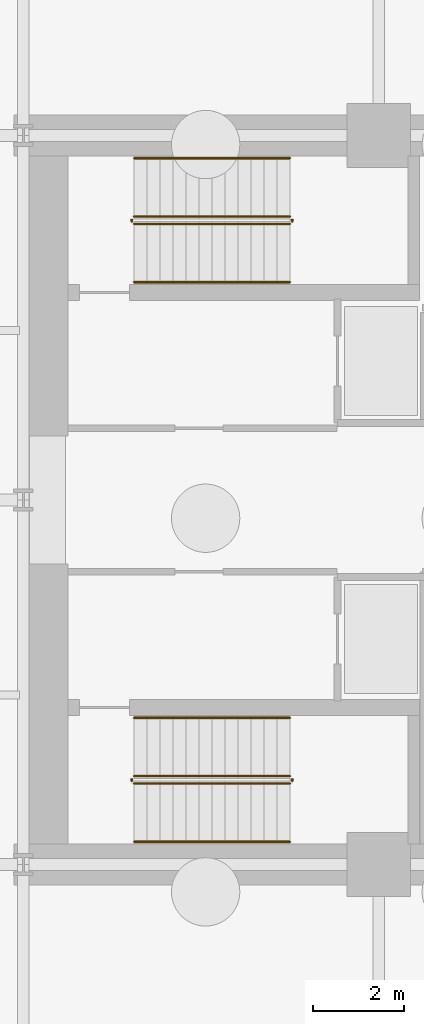
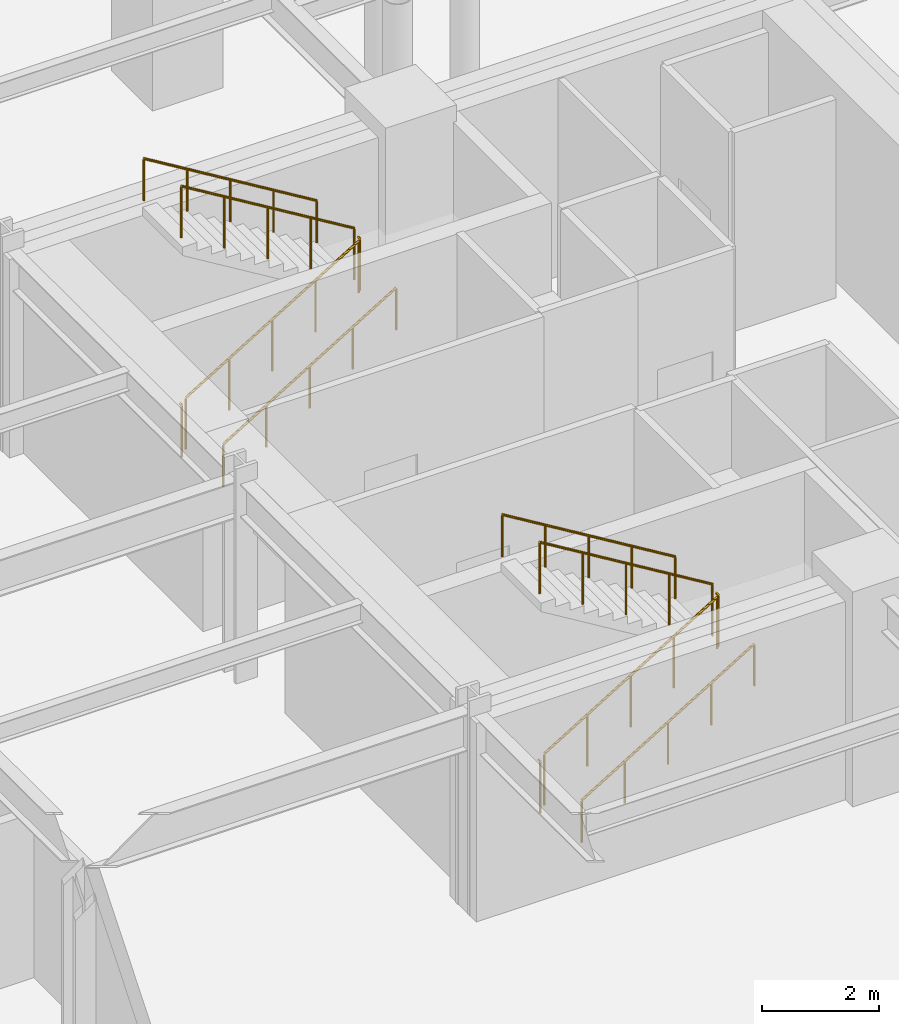
# One storey, part 8 of 10: 12 railings.
"""IFC4 building model written with IfcOpenShell, lengths in metres."""

import ifcopenshell
import ifcopenshell.guid

model = None  # the IFC model being written
_history = None  # IfcOwnerHistory: only IFC2X3 demands one
_inside = {}  # id of a spatial element -> (the spatial element, [elements in it])
_under = {}  # id of a project, library or spatial element -> (it, [spatial elements below it])
_declared = {}  # id of a project -> (the project, [libraries it declares])
_typed = {}  # id of a type object -> (the type object, [elements of that type])
_made_of = {}  # id of a material, layer set ... -> (it, [elements and type objects made of it])


def new_model(schema):
    """Start an empty IFC model of exactly this schema.

    Asked for "IFC4X3", IfcOpenShell would pick the latest addendum, in which some entities
    have other attributes; the version numbers below select the first issue.
    IFC2X3 requires an IfcOwnerHistory on every rooted entity: one is made here for all.
    """
    global model, _history
    if schema == "IFC4X3":
        model = ifcopenshell.file(schema_version=(4, 3, 0, 0))
    else:
        model = ifcopenshell.file(schema=schema)
    _inside.clear()
    _under.clear()
    _declared.clear()
    _typed.clear()
    _made_of.clear()
    _history = None
    if model.schema == "IFC2X3":
        org = make("IfcOrganization", Name="unknown")
        user = make(
            "IfcPersonAndOrganization",
            ThePerson=make("IfcPerson", FamilyName="unknown"),
            TheOrganization=org,
        )
        app = make(
            "IfcApplication",
            ApplicationDeveloper=org,
            Version="unknown",
            ApplicationFullName="unknown",
            ApplicationIdentifier="unknown",
        )
        _history = make(
            "IfcOwnerHistory",
            OwningUser=user,
            OwningApplication=app,
            ChangeAction="ADDED",
            CreationDate=0,
        )
    return model


def make(cls, **values):
    """One entity of the class cls with the attributes given. An attribute that is None is left unset."""
    return model.create_entity(
        cls, **{name: value for name, value in values.items() if value is not None}
    )


def rooted(cls, **values):
    """An entity with a GlobalId (a new one), such as an element, a storey or a relation."""
    return make(cls, GlobalId=ifcopenshell.guid.new(), OwnerHistory=_history, **values)


def si_unit(unit_type, name, prefix=None):
    """IfcSIUnit, for example si_unit("LENGTHUNIT", "METRE", prefix="MILLI")."""
    return make("IfcSIUnit", UnitType=unit_type, Prefix=prefix, Name=name)


def assignment(units):
    """IfcUnitAssignment: the units of a project."""
    return None if units is None else make("IfcUnitAssignment", Units=units)


def point(xyz):
    """IfcCartesianPoint."""
    return None if xyz is None else make("IfcCartesianPoint", Coordinates=xyz)


def direction(xyz):
    """IfcDirection."""
    return None if xyz is None else make("IfcDirection", DirectionRatios=xyz)


def frame(location, z_axis=None, x_axis=None):
    """IfcAxis2Placement3D, a coordinate frame: its origin and axes. An axis left out is left unset."""
    return make(
        "IfcAxis2Placement3D",
        Location=point(location),
        Axis=direction(z_axis),
        RefDirection=direction(x_axis),
    )


def frame_2d(location, x_axis=None):
    """IfcAxis2Placement2D, a coordinate frame in the plane: its origin and x axis."""
    return make(
        "IfcAxis2Placement2D", Location=point(location), RefDirection=direction(x_axis)
    )


def origin():
    """The frame at (0, 0, 0) with its axes left unset."""
    return frame((0.0, 0.0, 0.0))


def origin_2d():
    """The frame at (0, 0) in the plane with its x axis left unset."""
    return frame_2d((0.0, 0.0))


def place(relative_to, where):
    """IfcLocalPlacement: puts the frame where relative to a parent placement (None: the world)."""
    return make(
        "IfcLocalPlacement", PlacementRelTo=relative_to, RelativePlacement=where
    )


def context(
    kind, dimensions, precision=None, world=None, true_north=None, identifier=None
):
    """IfcGeometricRepresentationContext, for example the 3D "Model" context."""
    return make(
        "IfcGeometricRepresentationContext",
        ContextIdentifier=identifier,
        ContextType=kind,
        CoordinateSpaceDimension=dimensions,
        Precision=precision,
        WorldCoordinateSystem=world,
        TrueNorth=true_north,
    )


def subcontext(parent, identifier, kind, view, scale=None):
    """IfcGeometricRepresentationSubContext, for example "Body" below "Model"."""
    return make(
        "IfcGeometricRepresentationSubContext",
        ContextIdentifier=identifier,
        ContextType=kind,
        ParentContext=parent,
        TargetScale=scale,
        TargetView=view,
    )


def project(units=None, contexts=None):
    """IfcProject with its units and contexts."""
    return rooted(
        "IfcProject",
        Name="project",
        RepresentationContexts=contexts,
        UnitsInContext=assignment(units),
    )


def spatial(cls, under=None, at=None, **own):
    """A site, building, storey or space (cls), placed at a placement, below another one or the project."""
    s = rooted(cls, ObjectPlacement=at, **own)
    if under is not None:
        _under.setdefault(under.id(), (under, []))[1].append(s)
    return s


def profile(cls, at=None, kind="AREA", **sizes):
    """A parametric profile (cls). Its sizes go by their IFC names, for example OverallWidth=200.0."""
    return make(cls, ProfileType=kind, Position=at, **sizes)


def circle(**sizes):
    """IfcCircleProfileDef."""
    return profile("IfcCircleProfileDef", **sizes)


def extrude(swept, where, along, depth):
    """IfcExtrudedAreaSolid: the profile swept, set in the frame where, extruded along a direction by depth."""
    return make(
        "IfcExtrudedAreaSolid",
        SweptArea=swept,
        Position=where,
        ExtrudedDirection=direction(along),
        Depth=depth,
    )


def shape(context_of_items, identifier, shape_type, items):
    """IfcShapeRepresentation: the items that make up one representation, for example the "Body"."""
    return make(
        "IfcShapeRepresentation",
        ContextOfItems=context_of_items,
        RepresentationIdentifier=identifier,
        RepresentationType=shape_type,
        Items=items,
    )


def material(Name=None, Category=None):
    """IfcMaterial."""
    return make("IfcMaterial", Name=Name, Category=Category)


def made_of(thing, what):
    """Note that an element or type object is made of a material, layer set ...; save() writes the relation."""
    if what is not None:
        _made_of.setdefault(what.id(), (what, []))[1].append(thing)
    return thing


def type_object(cls, material=None, **own):
    """A type object (cls), such as IfcWallType, which elements share."""
    return made_of(rooted(cls, **own), material)


def element(
    cls,
    number,
    at=None,
    inside=None,
    cuts=None,
    type_object=None,
    material=None,
    context=None,
    identifier="Body",
    shape_type=None,
    held_by="IfcProductDefinitionShape",
    body=None,
    shapes=None,
    **own,
):
    """One element of the class cls, such as IfcWall. Its Tag is "e" and its number.

    at: its placement. inside: the storey or other place that contains it. cuts: it is an
    opening in that element (IfcRelVoidsElement). A single representation is given by context,
    identifier, shape_type and body (its items); several are given by shapes. held_by: the class
    of the entity that holds the representations. save() writes the other relations.
    """
    e = rooted(cls, Tag="e%d" % number, ObjectPlacement=at, **own)
    if body is not None:
        shapes = [shape(context, identifier, shape_type, body)]
    if shapes is not None:
        e.Representation = make(held_by, Representations=shapes)
    if inside is not None:
        _inside.setdefault(inside.id(), (inside, []))[1].append(e)
    if cuts is not None:
        rooted(
            "IfcRelVoidsElement", RelatingBuildingElement=cuts, RelatedOpeningElement=e
        )
    if type_object is not None:
        _typed.setdefault(type_object.id(), (type_object, []))[1].append(e)
    return made_of(e, material)


def aggregate(whole, parts):
    """IfcRelAggregates: a whole, such as a stair, and the parts it consists of."""
    return rooted("IfcRelAggregates", RelatingObject=whole, RelatedObjects=parts)


def save(model, path):
    """Write the relations noted so far, then the file.

    IfcRelAggregates (storeys below a building ...), IfcRelContainedInSpatialStructure (elements
    in a storey), IfcRelDefinesByType, IfcRelAssociatesMaterial and IfcRelDeclares: one each for
    every whole, place, type object, material and project.
    """
    for whole, parts in _under.values():
        aggregate(whole, parts)
    for where, things in _inside.values():
        rooted(
            "IfcRelContainedInSpatialStructure",
            RelatedElements=things,
            RelatingStructure=where,
        )
    for kind, things in _typed.values():
        rooted("IfcRelDefinesByType", RelatedObjects=things, RelatingType=kind)
    for what, things in _made_of.values():
        rooted("IfcRelAssociatesMaterial", RelatedObjects=things, RelatingMaterial=what)
    for by, libraries in _declared.values():
        rooted("IfcRelDeclares", RelatingContext=by, RelatedDefinitions=libraries)
    model.write(path)


model = new_model("IFC4")

# Units and contexts
model_context = context("Model", 3, precision=1e-05, world=origin(), true_north=direction((0.0, 1.0)))
body_context = subcontext(model_context, "Body", "Model", "MODEL_VIEW")
ifc_project = project(units=[si_unit("LENGTHUNIT", "METRE"), si_unit("AREAUNIT", "SQUARE_METRE"), si_unit("VOLUMEUNIT", "CUBIC_METRE"), si_unit("PLANEANGLEUNIT", "RADIAN"), si_unit("MASSUNIT", "GRAM", prefix="KILO")], contexts=[model_context])

# Site, building, storey
site_placement = place(None, origin())
site = spatial("IfcSite", under=ifc_project, at=site_placement, CompositionType="ELEMENT")
building_placement = place(site_placement, origin())
building = spatial("IfcBuilding", under=site, at=building_placement, Name="Veymaron Broadcast Tower", CompositionType="ELEMENT")
storey_placement = place(building_placement, frame((0.0, 0.0, -9.0)))
storey = spatial("IfcBuildingStorey", under=building, at=storey_placement, Name="B2", CompositionType="ELEMENT", Elevation=-9.0)

# Railings
ifc_material_1 = material(Name="Brushed stainless steel AISI 304", Category="steel")
railing_type_1 = type_object("IfcRailingType", Name="RAIL-STAIR-HR", PredefinedType="HANDRAIL", material=ifc_material_1)
railing_1_placement = place(storey_placement, frame((41.429931640625, 28.780029296875, 0.173095703125)))
element("IfcRailing", 1, at=railing_1_placement, inside=storey, type_object=railing_type_1, Name="B2 ST1 stair handrail 1", PredefinedType="HANDRAIL", context=body_context, shape_type="SweptSolid", body=[
    extrude(circle(Radius=0.02392578125, at=origin_2d()), frame((0.0, 0.0, 0.8759765625), z_axis=(0.854745945586, 0.0, 0.519046595696), x_axis=(0.0, 1.0, 0.0)), (0.0, 0.0, 1.0), 4.00146484375),
    extrude(circle(Radius=0.02099609375, at=origin_2d()), origin(), (0.0, 0.0, 1.0), 0.851806640625),
    extrude(circle(Radius=0.02099609375, at=origin_2d()), frame((0.85498046875, 0.0, 0.519287109375)), (0.0, 0.0, 1.0), 0.851806640625),
    extrude(circle(Radius=0.02099609375, at=origin_2d()), frame((1.7099609375, 0.0, 1.03857421875)), (0.0, 0.0, 1.0), 0.851806640625),
    extrude(circle(Radius=0.02099609375, at=origin_2d()), frame((2.565185546875, 0.0, 1.5576171875)), (0.0, 0.0, 1.0), 0.851806640625),
    extrude(circle(Radius=0.02099609375, at=origin_2d()), frame((3.420166015625, 0.0, 2.076904296875)), (0.0, 0.0, 1.0), 0.851806640625),
])
railing_2_placement = place(storey_placement, frame((44.85009765625, 31.5, 2.423095703125)))
element("IfcRailing", 2, at=railing_2_placement, inside=storey, type_object=railing_type_1, Name="B2 ST1 stair handrail 2", PredefinedType="HANDRAIL", context=body_context, shape_type="SweptSolid", body=[
    extrude(circle(Radius=0.02392578125, at=origin_2d()), frame((0.0, 0.0, 0.8759765625), z_axis=(-0.854745945586, 0.0, 0.519046595696), x_axis=(0.0, -1.0, 0.0)), (0.0, 0.0, 1.0), 4.00146484375),
    extrude(circle(Radius=0.02099609375, at=origin_2d()), origin(), (0.0, 0.0, 1.0), 0.851806640625),
    extrude(circle(Radius=0.02099609375, at=origin_2d()), frame((-0.85498046875, 0.0, 0.519287109375)), (0.0, 0.0, 1.0), 0.851806640625),
    extrude(circle(Radius=0.02099609375, at=origin_2d()), frame((-1.7099609375, 0.0, 1.03857421875)), (0.0, 0.0, 1.0), 0.851806640625),
    extrude(circle(Radius=0.02099609375, at=origin_2d()), frame((-2.565185546875, 0.0, 1.5576171875)), (0.0, 0.0, 1.0), 0.851806640625),
    extrude(circle(Radius=0.02099609375, at=origin_2d()), frame((-3.420166015625, 0.0, 2.076904296875)), (0.0, 0.0, 1.0), 0.851806640625),
])
railing_3_placement = place(storey_placement, frame((41.429931640625, 16.5, 0.173095703125)))
element("IfcRailing", 3, at=railing_3_placement, inside=storey, type_object=railing_type_1, Name="B2 ST2 stair handrail 1", PredefinedType="HANDRAIL", context=body_context, shape_type="SweptSolid", body=[
    extrude(circle(Radius=0.02392578125, at=origin_2d()), frame((0.0, 0.0, 0.8759765625), z_axis=(0.854745945586, 0.0, 0.519046595696), x_axis=(0.0, 1.0, 0.0)), (0.0, 0.0, 1.0), 4.00146484375),
    extrude(circle(Radius=0.02099609375, at=origin_2d()), origin(), (0.0, 0.0, 1.0), 0.851806640625),
    extrude(circle(Radius=0.02099609375, at=origin_2d()), frame((0.85498046875, 0.0, 0.519287109375)), (0.0, 0.0, 1.0), 0.851806640625),
    extrude(circle(Radius=0.02099609375, at=origin_2d()), frame((1.7099609375, 0.0, 1.03857421875)), (0.0, 0.0, 1.0), 0.851806640625),
    extrude(circle(Radius=0.02099609375, at=origin_2d()), frame((2.565185546875, 0.0, 1.5576171875)), (0.0, 0.0, 1.0), 0.851806640625),
    extrude(circle(Radius=0.02099609375, at=origin_2d()), frame((3.420166015625, 0.0, 2.076904296875)), (0.0, 0.0, 1.0), 0.851806640625),
])
railing_4_placement = place(storey_placement, frame((44.85009765625, 19.219970703125, 2.423095703125)))
element("IfcRailing", 4, at=railing_4_placement, inside=storey, type_object=railing_type_1, Name="B2 ST2 stair handrail 2", PredefinedType="HANDRAIL", context=body_context, shape_type="SweptSolid", body=[
    extrude(circle(Radius=0.02392578125, at=origin_2d()), frame((0.0, 0.0, 0.8759765625), z_axis=(-0.854745945586, 0.0, 0.519046595696), x_axis=(0.0, -1.0, 0.0)), (0.0, 0.0, 1.0), 4.00146484375),
    extrude(circle(Radius=0.02099609375, at=origin_2d()), origin(), (0.0, 0.0, 1.0), 0.851806640625),
    extrude(circle(Radius=0.02099609375, at=origin_2d()), frame((-0.85498046875, 0.0, 0.519287109375)), (0.0, 0.0, 1.0), 0.851806640625),
    extrude(circle(Radius=0.02099609375, at=origin_2d()), frame((-1.7099609375, 0.0, 1.03857421875)), (0.0, 0.0, 1.0), 0.851806640625),
    extrude(circle(Radius=0.02099609375, at=origin_2d()), frame((-2.565185546875, 0.0, 1.5576171875)), (0.0, 0.0, 1.0), 0.851806640625),
    extrude(circle(Radius=0.02099609375, at=origin_2d()), frame((-3.420166015625, 0.0, 2.076904296875)), (0.0, 0.0, 1.0), 0.851806640625),
])
ifc_material_2 = material(Name="Painted galvanized steel balustrade", Category="steel")
railing_type_2 = type_object("IfcRailingType", Name="RAIL-WELL-GRD", PredefinedType="GUARDRAIL", material=ifc_material_2)
railing_5_placement = place(storey_placement, frame((41.429931640625, 30.06005859375, 0.173095703125)))
element("IfcRailing", 5, at=railing_5_placement, inside=storey, type_object=railing_type_2, Name="B2 ST1 stair guard 1", PredefinedType="GUARDRAIL", context=body_context, shape_type="SweptSolid", body=[
    extrude(circle(Radius=0.02392578125, at=origin_2d()), frame((0.0, 0.0, 1.076171875), z_axis=(0.854745945586, 0.0, 0.519046595696), x_axis=(0.0, 1.0, 0.0)), (0.0, 0.0, 1.0), 4.00146484375),
    extrude(circle(Radius=0.02099609375, at=origin_2d()), origin(), (0.0, 0.0, 1.0), 1.052001953125),
    extrude(circle(Radius=0.02099609375, at=origin_2d()), frame((0.85498046875, 0.0, 0.519287109375)), (0.0, 0.0, 1.0), 1.052001953125),
    extrude(circle(Radius=0.02099609375, at=origin_2d()), frame((1.7099609375, 0.0, 1.03857421875)), (0.0, 0.0, 1.0), 1.052001953125),
    extrude(circle(Radius=0.02099609375, at=origin_2d()), frame((2.565185546875, 0.0, 1.5576171875)), (0.0, 0.0, 1.0), 1.052001953125),
    extrude(circle(Radius=0.02099609375, at=origin_2d()), frame((3.420166015625, 0.0, 2.076904296875)), (0.0, 0.0, 1.0), 1.052001953125),
])
railing_6_placement = place(storey_placement, frame((44.89990234375, 30.110107421875, 2.25)))
element("IfcRailing", 6, at=railing_6_placement, inside=storey, type_object=railing_type_2, Name="B2 ST1 stair guard 2", PredefinedType="GUARDRAIL", context=body_context, shape_type="SweptSolid", body=[
    extrude(circle(Radius=0.02392578125, at=origin_2d()), frame((0.0, 0.0, 1.076171875), z_axis=(0.0, 1.0, 0.0), x_axis=(-1.0, 0.0, 0.0)), (0.0, 0.0, 1.0), 0.059814453125),
    extrude(circle(Radius=0.02099609375, at=origin_2d()), origin(), (0.0, 0.0, 1.0), 1.052001953125),
])
railing_7_placement = place(storey_placement, frame((44.85009765625, 30.219970703125, 2.423095703125)))
element("IfcRailing", 7, at=railing_7_placement, inside=storey, type_object=railing_type_2, Name="B2 ST1 stair guard 3", PredefinedType="GUARDRAIL", context=body_context, shape_type="SweptSolid", body=[
    extrude(circle(Radius=0.02392578125, at=origin_2d()), frame((0.0, 0.0, 1.076171875), z_axis=(-0.854745945586, 0.0, 0.519046595696), x_axis=(0.0, -1.0, 0.0)), (0.0, 0.0, 1.0), 4.00146484375),
    extrude(circle(Radius=0.02099609375, at=origin_2d()), origin(), (0.0, 0.0, 1.0), 1.052001953125),
    extrude(circle(Radius=0.02099609375, at=origin_2d()), frame((-0.85498046875, 0.0, 0.519287109375)), (0.0, 0.0, 1.0), 1.052001953125),
    extrude(circle(Radius=0.02099609375, at=origin_2d()), frame((-1.7099609375, 0.0, 1.03857421875)), (0.0, 0.0, 1.0), 1.052001953125),
    extrude(circle(Radius=0.02099609375, at=origin_2d()), frame((-2.565185546875, 0.0, 1.5576171875)), (0.0, 0.0, 1.0), 1.052001953125),
    extrude(circle(Radius=0.02099609375, at=origin_2d()), frame((-3.420166015625, 0.0, 2.076904296875)), (0.0, 0.0, 1.0), 1.052001953125),
])
railing_8_placement = place(storey_placement, frame((41.3798828125, 30.110107421875, 0.0)))
element("IfcRailing", 8, at=railing_8_placement, inside=storey, type_object=railing_type_2, Name="B2 ST1 stair guard 4", PredefinedType="GUARDRAIL", context=body_context, shape_type="SweptSolid", body=[
    extrude(circle(Radius=0.02392578125, at=origin_2d()), frame((0.0, 0.0, 1.076171875), z_axis=(0.0, 1.0, 0.0), x_axis=(-1.0, 0.0, 0.0)), (0.0, 0.0, 1.0), 0.059814453125),
    extrude(circle(Radius=0.02099609375, at=origin_2d()), origin(), (0.0, 0.0, 1.0), 1.052001953125),
])
railing_9_placement = place(storey_placement, frame((41.429931640625, 17.780029296875, 0.173095703125)))
element("IfcRailing", 9, at=railing_9_placement, inside=storey, type_object=railing_type_2, Name="B2 ST2 stair guard 1", PredefinedType="GUARDRAIL", context=body_context, shape_type="SweptSolid", body=[
    extrude(circle(Radius=0.02392578125, at=origin_2d()), frame((0.0, 0.0, 1.076171875), z_axis=(0.854745945586, 0.0, 0.519046595696), x_axis=(0.0, 1.0, 0.0)), (0.0, 0.0, 1.0), 4.00146484375),
    extrude(circle(Radius=0.02099609375, at=origin_2d()), origin(), (0.0, 0.0, 1.0), 1.052001953125),
    extrude(circle(Radius=0.02099609375, at=origin_2d()), frame((0.85498046875, 0.0, 0.519287109375)), (0.0, 0.0, 1.0), 1.052001953125),
    extrude(circle(Radius=0.02099609375, at=origin_2d()), frame((1.7099609375, 0.0, 1.03857421875)), (0.0, 0.0, 1.0), 1.052001953125),
    extrude(circle(Radius=0.02099609375, at=origin_2d()), frame((2.565185546875, 0.0, 1.5576171875)), (0.0, 0.0, 1.0), 1.052001953125),
    extrude(circle(Radius=0.02099609375, at=origin_2d()), frame((3.420166015625, 0.0, 2.076904296875)), (0.0, 0.0, 1.0), 1.052001953125),
])
railing_10_placement = place(storey_placement, frame((44.89990234375, 17.830078125, 2.25)))
element("IfcRailing", 10, at=railing_10_placement, inside=storey, type_object=railing_type_2, Name="B2 ST2 stair guard 2", PredefinedType="GUARDRAIL", context=body_context, shape_type="SweptSolid", body=[
    extrude(circle(Radius=0.02392578125, at=origin_2d()), frame((0.0, 0.0, 1.076171875), z_axis=(0.0, 1.0, 0.0), x_axis=(-1.0, 0.0, 0.0)), (0.0, 0.0, 1.0), 0.059814453125),
    extrude(circle(Radius=0.02099609375, at=origin_2d()), origin(), (0.0, 0.0, 1.0), 1.052001953125),
])
railing_11_placement = place(storey_placement, frame((44.85009765625, 17.93994140625, 2.423095703125)))
element("IfcRailing", 11, at=railing_11_placement, inside=storey, type_object=railing_type_2, Name="B2 ST2 stair guard 3", PredefinedType="GUARDRAIL", context=body_context, shape_type="SweptSolid", body=[
    extrude(circle(Radius=0.02392578125, at=origin_2d()), frame((0.0, 0.0, 1.076171875), z_axis=(-0.854745945586, 0.0, 0.519046595696), x_axis=(0.0, -1.0, 0.0)), (0.0, 0.0, 1.0), 4.00146484375),
    extrude(circle(Radius=0.02099609375, at=origin_2d()), origin(), (0.0, 0.0, 1.0), 1.052001953125),
    extrude(circle(Radius=0.02099609375, at=origin_2d()), frame((-0.85498046875, 0.0, 0.519287109375)), (0.0, 0.0, 1.0), 1.052001953125),
    extrude(circle(Radius=0.02099609375, at=origin_2d()), frame((-1.7099609375, 0.0, 1.03857421875)), (0.0, 0.0, 1.0), 1.052001953125),
    extrude(circle(Radius=0.02099609375, at=origin_2d()), frame((-2.565185546875, 0.0, 1.5576171875)), (0.0, 0.0, 1.0), 1.052001953125),
    extrude(circle(Radius=0.02099609375, at=origin_2d()), frame((-3.420166015625, 0.0, 2.076904296875)), (0.0, 0.0, 1.0), 1.052001953125),
])
railing_12_placement = place(storey_placement, frame((41.3798828125, 17.830078125, 0.0)))
element("IfcRailing", 12, at=railing_12_placement, inside=storey, type_object=railing_type_2, Name="B2 ST2 stair guard 4", PredefinedType="GUARDRAIL", context=body_context, shape_type="SweptSolid", body=[
    extrude(circle(Radius=0.02392578125, at=origin_2d()), frame((0.0, 0.0, 1.076171875), z_axis=(0.0, 1.0, 0.0), x_axis=(-1.0, 0.0, 0.0)), (0.0, 0.0, 1.0), 0.059814453125),
    extrude(circle(Radius=0.02099609375, at=origin_2d()), origin(), (0.0, 0.0, 1.0), 1.052001953125),
])

save(model, "model.ifc")
